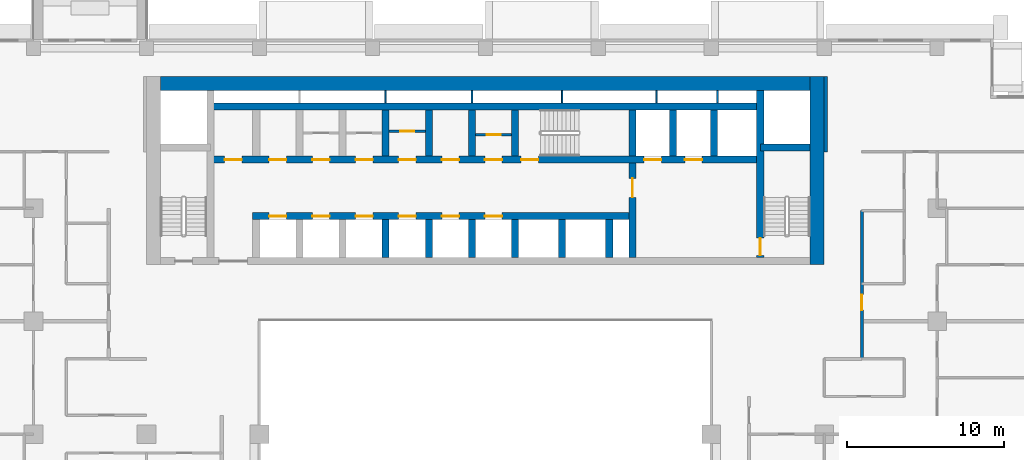
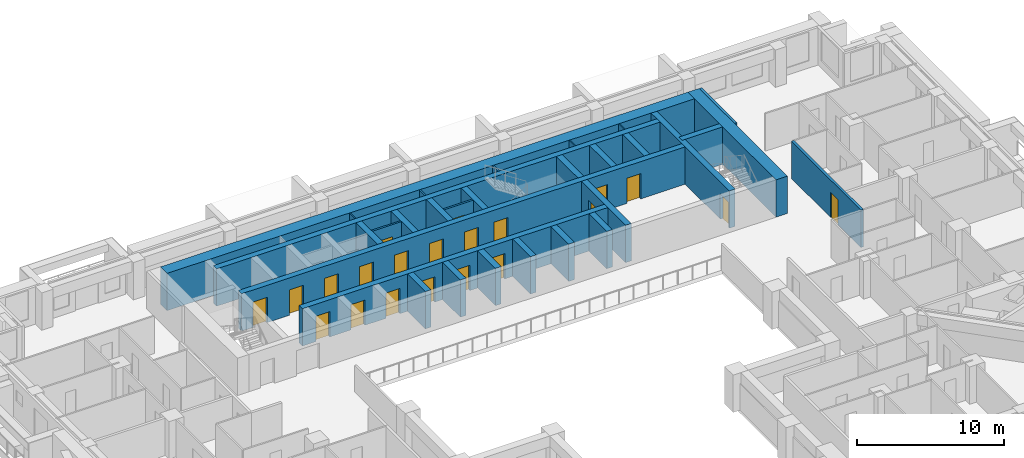
# One storey, part 10 of 17: 30 walls, 21 doors, 21 openings.
"""IFC4 building model written with IfcOpenShell, lengths in metres."""

from ifc_helpers import new_model, si_unit, direction, frame, frame_2d, origin, place, context, subcontext, project, spatial, rectangle, extrude, material, layer, layer_set, type_object, element, fill, save


model = new_model("IFC4")

# Units and contexts
model_context = context("Model", 3, precision=1e-05, world=origin(), true_north=direction((0.0, 1.0)))
body_context = subcontext(model_context, "Body", "Model", "MODEL_VIEW")
ifc_project = project(units=[si_unit("LENGTHUNIT", "METRE"), si_unit("AREAUNIT", "SQUARE_METRE"), si_unit("VOLUMEUNIT", "CUBIC_METRE"), si_unit("PLANEANGLEUNIT", "RADIAN"), si_unit("MASSUNIT", "GRAM", prefix="KILO")], contexts=[model_context])

# Site, building, storey
site_placement = place(None, origin())
site = spatial("IfcSite", under=ifc_project, at=site_placement, CompositionType="ELEMENT")
building_placement = place(site_placement, origin())
building = spatial("IfcBuilding", under=site, at=building_placement, Name="Saffron Iwan Residences", CompositionType="ELEMENT")
storey_placement = place(building_placement, frame((0.0, 0.0, 104.0)))
storey = spatial("IfcBuildingStorey", under=building, at=storey_placement, Name="L27", CompositionType="ELEMENT", Elevation=104.0)

# Wall, opening, door
ifc_material_1 = material(Name="Fire-rated plasterboard partition")
ifc_layer_1 = layer(ifc_material_1, 0.14990234375)
ifc_layer_set_1 = layer_set([ifc_layer_1], Name="Fire-rated plasterboard partition")
wall_type_1 = type_object("IfcWallType", Name="Core partition 150", PredefinedType="PARTITIONING", material=ifc_layer_set_1)
wall_1_placement = place(storey_placement, frame((44.27490234375, 74.51806640625, 0.0), z_axis=(0.0, 0.0, 1.0), x_axis=(1.0, 0.0, 0.0)))
wall_1 = element("IfcWall", 1, at=wall_1_placement, inside=storey, type_object=wall_type_1, Name="Core partition P03", PredefinedType="PARTITIONING", context=body_context, shape_type="SweptSolid", body=[
    extrude(rectangle(XDim=2.300048828125, YDim=0.14990234375, at=frame_2d((1.14990234375, 0.0))), origin(), (0.0, 0.0, 1.0), 3.10009765625),
])
opening_1_placement = place(wall_1_placement, frame((0.699951171875, 0.0, 0.0)))
opening_1 = element("IfcOpeningElement", 2, at=opening_1_placement, cuts=wall_1, Name="Opening SB", PredefinedType="OPENING", context=body_context, shape_type="SweptSolid", body=[
    extrude(rectangle(XDim=0.89990234375, YDim=2.10009765625, at=frame_2d((0.449951171875, 1.050048828125))), frame((0.0, 0.0849609375, 0.0), z_axis=(0.0, -1.0, 0.0), x_axis=(1.0, 0.0, 0.0)), (0.0, 0.0, 1.0), 0.169921875),
])
ifc_material_2 = material(Name="Steel fire door", Category="steel")
door_type_1 = type_object("IfcDoorType", Name="Store door 900", OperationType="NOTDEFINED", PredefinedType="DOOR", material=ifc_material_2)
door_1_placement = place(opening_1_placement, origin())
door_1 = element("IfcDoor", 3, at=door_1_placement, inside=storey, type_object=door_type_1, Name="Door Tool store", OperationType="SINGLE_SWING_LEFT", OverallHeight=2.10009765625, OverallWidth=0.89990234375, PredefinedType="DOOR", context=body_context, shape_type="SweptSolid", body=[
    extrude(rectangle(XDim=0.89990234375, YDim=2.10009765625, at=frame_2d((0.449951171875, 1.050048828125))), frame((0.0, 0.02490234375, 0.0), z_axis=(0.0, -1.0, 0.0), x_axis=(1.0, 0.0, 0.0)), (0.0, 0.0, 1.0), 0.050048828125),
])
fill(opening_1, door_1)

wall_2_placement = place(storey_placement, frame((49.77490234375, 74.281982421875, 0.0), z_axis=(0.0, 0.0, 1.0), x_axis=(1.0, 0.0, 0.0)))
wall_2 = element("IfcWall", 4, at=wall_2_placement, inside=storey, type_object=wall_type_1, Name="Core partition P04", PredefinedType="PARTITIONING", context=body_context, shape_type="SweptSolid", body=[
    extrude(rectangle(XDim=2.300048828125, YDim=0.14990234375, at=frame_2d((1.14990234375, 0.0))), origin(), (0.0, 0.0, 1.0), 3.10009765625),
])
opening_2_placement = place(wall_2_placement, frame((0.699951171875, 0.0, 0.0)))
opening_2 = element("IfcOpeningElement", 5, at=opening_2_placement, cuts=wall_2, Name="Opening SB", PredefinedType="OPENING", context=body_context, shape_type="SweptSolid", body=[
    extrude(rectangle(XDim=0.89990234375, YDim=2.10009765625, at=frame_2d((0.449951171875, 1.050048828125))), frame((0.0, 0.0849609375, 0.0), z_axis=(0.0, -1.0, 0.0), x_axis=(1.0, 0.0, 0.0)), (0.0, 0.0, 1.0), 0.169921875),
])
door_2_placement = place(opening_2_placement, origin())
door_2 = element("IfcDoor", 6, at=door_2_placement, inside=storey, type_object=door_type_1, Name="Door Equipment store", OperationType="SINGLE_SWING_RIGHT", OverallHeight=2.10009765625, OverallWidth=0.89990234375, PredefinedType="DOOR", context=body_context, shape_type="SweptSolid", body=[
    extrude(rectangle(XDim=0.89990234375, YDim=2.10009765625, at=frame_2d((0.449951171875, 1.050048828125))), frame((0.0, 0.02490234375, 0.0), z_axis=(0.0, -1.0, 0.0), x_axis=(1.0, 0.0, 0.0)), (0.0, 0.0, 1.0), 0.050048828125),
])
fill(opening_2, door_2)

# Wall
ifc_material_3 = material(Name="Fire-rated gypsum board wall")
ifc_layer_2 = layer(ifc_material_3, 0.199951171875)
ifc_layer_set_2 = layer_set([ifc_layer_2], Name="Fire-rated gypsum board wall")
wall_type_2 = type_object("IfcWallType", Name="Gallery wall 200", PredefinedType="SOLIDWALL", material=ifc_layer_set_2)
wall_3_placement = place(storey_placement, frame((72.10009765625, 73.199951171875, 0.0), z_axis=(0.0, 0.0, 1.0), x_axis=(0.0, 1.0, 0.0)))
element("IfcWall", 7, at=wall_3_placement, inside=storey, type_object=wall_type_2, Name="W-L27-CORR-v72-73.2", PredefinedType="SOLIDWALL", context=body_context, shape_type="SweptSolid", body=[
    extrude(rectangle(XDim=4.800048828125, YDim=0.199951171875, at=frame_2d((2.39990234375, 0.0))), origin(), (0.0, 0.0, 1.0), 3.10009765625),
])

# Wall, opening, door
wall_4_placement = place(storey_placement, frame((74.39990234375, 60.0, 0.0), z_axis=(0.0, 0.0, 1.0), x_axis=(0.0, 1.0, 0.0)))
wall_4 = element("IfcWall", 8, at=wall_4_placement, inside=storey, type_object=wall_type_2, Name="W-L27-CORR-v74.4-60", PredefinedType="SOLIDWALL", context=body_context, shape_type="SweptSolid", body=[
    extrude(rectangle(XDim=9.449951171875, YDim=0.199951171875, at=frame_2d((4.72509765625, 0.0))), origin(), (0.0, 0.0, 1.0), 3.10009765625),
])
opening_3_placement = place(wall_4_placement, frame((3.10009765625, 0.0, 0.0)))
opening_3 = element("IfcOpeningElement", 9, at=opening_3_placement, cuts=wall_4, Name="Opening FD1", PredefinedType="OPENING", context=body_context, shape_type="SweptSolid", body=[
    extrude(rectangle(XDim=1.0, YDim=2.10009765625, at=frame_2d((0.5, 1.050048828125))), frame((0.0, 0.10986328125, 0.0), z_axis=(0.0, -1.0, 0.0), x_axis=(1.0, 0.0, 0.0)), (0.0, 0.0, 1.0), 0.219970703125),
])
ifc_material_4 = material(Name="Fire-rated timber door", Category="wood")
door_type_2 = type_object("IfcDoorType", Name="FD30S flat entrance door 1000", OperationType="NOTDEFINED", PredefinedType="DOOR", material=ifc_material_4)
door_3_placement = place(opening_3_placement, origin())
door_3 = element("IfcDoor", 10, at=door_3_placement, inside=storey, type_object=door_type_2, Name="Door L27-035", OperationType="SINGLE_SWING_LEFT", OverallHeight=2.10009765625, OverallWidth=1.0, PredefinedType="DOOR", context=body_context, shape_type="SweptSolid", body=[
    extrude(rectangle(XDim=1.0, YDim=2.10009765625, at=frame_2d((0.5, 1.050048828125))), frame((0.0, 0.02490234375, 0.0), z_axis=(0.0, -1.0, 0.0), x_axis=(1.0, 0.0, 0.0)), (0.0, 0.0, 1.0), 0.050048828125),
])
fill(opening_3, door_3)

# Walls
ifc_layer_3 = layer(ifc_material_1, 0.10009765625)
ifc_layer_set_3 = layer_set([ifc_layer_3], Name="Fire-rated plasterboard partition")
wall_type_3 = type_object("IfcWallType", Name="Riser partition 100", PredefinedType="PARTITIONING", material=ifc_layer_set_3)
for number, where, z_axis, x_axis, name in (
    (11, (44.050048828125, 76.324951171875, 0.0), (0.0, 0.0, 1.0), (0.0, 1.0, 0.0), "Core partition P06"),
    (12, (49.550048828125, 76.324951171875, 0.0), (0.0, 0.0, 1.0), (0.0, 1.0, 0.0), "Core partition P07"),
    (13, (55.300048828125, 76.324951171875, 0.0), (0.0, 0.0, 1.0), (0.0, 1.0, 0.0), "Core partition P08"),
    (14, (61.300048828125, 76.324951171875, 0.0), (0.0, 0.0, 1.0), (0.0, 1.0, 0.0), "Core partition P09"),
    (15, (65.199951171875, 76.324951171875, 0.0), (0.0, 0.0, 1.0), (0.0, 1.0, 0.0), "Core partition P10"),
):
    element("IfcWall", number, at=place(storey_placement, frame(where, z_axis=z_axis, x_axis=x_axis)), inside=storey, type_object=wall_type_3, Name=name, PredefinedType="PARTITIONING", context=body_context, shape_type="SweptSolid", body=[
        extrude(rectangle(XDim=0.775146484375, YDim=0.10009765625, at=frame_2d((0.3876953125, 0.0))), origin(), (0.0, 0.0, 1.0), 3.10009765625),
    ])

# Wall, openings, doors
ifc_material_5 = material(Name="Concrete C60/75", Category="concrete")
ifc_layer_4 = layer(ifc_material_5, 0.449951171875)
ifc_layer_set_4 = layer_set([ifc_layer_4], Name="Concrete C60/75")
wall_type_4 = type_object("IfcWallType", Name="WALL CORE 450 C60/75 3100 HIGH", PredefinedType="SHEAR", material=ifc_layer_set_4)
wall_5_placement = place(storey_placement, frame((35.574951171875, 69.10009765625, 0.0), z_axis=(0.0, 0.0, 1.0), x_axis=(1.0, 0.0, 0.0)))
wall_5 = element("IfcWall", 16, at=wall_5_placement, inside=storey, type_object=wall_type_4, Name="Core wall", PredefinedType="SHEAR", context=body_context, shape_type="SweptSolid", body=[
    extrude(rectangle(XDim=24.199951171875, YDim=0.449951171875, at=frame_2d((12.10009765625, 0.0))), origin(), (0.0, 0.0, 1.0), 3.10009765625),
])
opening_4_placement = place(wall_5_placement, frame((1.050048828125, 0.0, 0.0)))
opening_4 = element("IfcOpeningElement", 17, at=opening_4_placement, cuts=wall_5, Name="Opening LD", PredefinedType="OPENING", context=body_context, shape_type="SweptSolid", body=[
    extrude(rectangle(XDim=1.10009765625, YDim=2.10009765625, at=frame_2d((0.550048828125, 1.050048828125))), frame((0.0, 0.23486328125, 0.0), z_axis=(0.0, -1.0, 0.0), x_axis=(1.0, 0.0, 0.0)), (0.0, 0.0, 1.0), 0.469970703125),
])
opening_5_placement = place(wall_5_placement, frame((3.800048828125, 0.0, 0.0)))
opening_5 = element("IfcOpeningElement", 18, at=opening_5_placement, cuts=wall_5, Name="Opening LD", PredefinedType="OPENING", context=body_context, shape_type="SweptSolid", body=[
    extrude(rectangle(XDim=1.10009765625, YDim=2.10009765625, at=frame_2d((0.550048828125, 1.050048828125))), frame((0.0, 0.23486328125, 0.0), z_axis=(0.0, -1.0, 0.0), x_axis=(1.0, 0.0, 0.0)), (0.0, 0.0, 1.0), 0.469970703125),
])
opening_6_placement = place(wall_5_placement, frame((6.550048828125, 0.0, 0.0)))
opening_6 = element("IfcOpeningElement", 19, at=opening_6_placement, cuts=wall_5, Name="Opening LD", PredefinedType="OPENING", context=body_context, shape_type="SweptSolid", body=[
    extrude(rectangle(XDim=1.10009765625, YDim=2.10009765625, at=frame_2d((0.550048828125, 1.050048828125))), frame((0.0, 0.23486328125, 0.0), z_axis=(0.0, -1.0, 0.0), x_axis=(1.0, 0.0, 0.0)), (0.0, 0.0, 1.0), 0.469970703125),
])
opening_7_placement = place(wall_5_placement, frame((9.300048828125, 0.0, 0.0)))
opening_7 = element("IfcOpeningElement", 20, at=opening_7_placement, cuts=wall_5, Name="Opening LD", PredefinedType="OPENING", context=body_context, shape_type="SweptSolid", body=[
    extrude(rectangle(XDim=1.10009765625, YDim=2.10009765625, at=frame_2d((0.550048828125, 1.050048828125))), frame((0.0, 0.23486328125, 0.0), z_axis=(0.0, -1.0, 0.0), x_axis=(1.0, 0.0, 0.0)), (0.0, 0.0, 1.0), 0.469970703125),
])
opening_8_placement = place(wall_5_placement, frame((12.050048828125, 0.0, 0.0)))
opening_8 = element("IfcOpeningElement", 21, at=opening_8_placement, cuts=wall_5, Name="Opening LD", PredefinedType="OPENING", context=body_context, shape_type="SweptSolid", body=[
    extrude(rectangle(XDim=1.10009765625, YDim=2.10009765625, at=frame_2d((0.550048828125, 1.050048828125))), frame((0.0, 0.23486328125, 0.0), z_axis=(0.0, -1.0, 0.0), x_axis=(1.0, 0.0, 0.0)), (0.0, 0.0, 1.0), 0.469970703125),
])
opening_9_placement = place(wall_5_placement, frame((14.800048828125, 0.0, 0.0)))
opening_9 = element("IfcOpeningElement", 22, at=opening_9_placement, cuts=wall_5, Name="Opening LD", PredefinedType="OPENING", context=body_context, shape_type="SweptSolid", body=[
    extrude(rectangle(XDim=1.10009765625, YDim=2.10009765625, at=frame_2d((0.550048828125, 1.050048828125))), frame((0.0, 0.23486328125, 0.0), z_axis=(0.0, -1.0, 0.0), x_axis=(1.0, 0.0, 0.0)), (0.0, 0.0, 1.0), 0.469970703125),
])
door_type_3 = type_object("IfcDoorType", Name="Lift landing door 1100", OperationType="SLIDING_TO_LEFT", PredefinedType="DOOR", material=ifc_material_2)
door_4_placement = place(opening_4_placement, origin())
door_4 = element("IfcDoor", 23, at=door_4_placement, inside=storey, type_object=door_type_3, Name="Landing doors LR1", OperationType="SLIDING_TO_LEFT", OverallHeight=2.10009765625, OverallWidth=1.10009765625, PredefinedType="DOOR", context=body_context, shape_type="SweptSolid", body=[
    extrude(rectangle(XDim=1.10009765625, YDim=2.10009765625, at=frame_2d((0.550048828125, 1.050048828125))), frame((0.0, 0.02490234375, 0.0), z_axis=(0.0, -1.0, 0.0), x_axis=(1.0, 0.0, 0.0)), (0.0, 0.0, 1.0), 0.050048828125),
])
fill(opening_4, door_4)
door_5_placement = place(opening_5_placement, origin())
door_5 = element("IfcDoor", 24, at=door_5_placement, inside=storey, type_object=door_type_3, Name="Landing doors LR2", OperationType="SLIDING_TO_LEFT", OverallHeight=2.10009765625, OverallWidth=1.10009765625, PredefinedType="DOOR", context=body_context, shape_type="SweptSolid", body=[
    extrude(rectangle(XDim=1.10009765625, YDim=2.10009765625, at=frame_2d((0.550048828125, 1.050048828125))), frame((0.0, 0.02490234375, 0.0), z_axis=(0.0, -1.0, 0.0), x_axis=(1.0, 0.0, 0.0)), (0.0, 0.0, 1.0), 0.050048828125),
])
fill(opening_5, door_5)
door_6_placement = place(opening_6_placement, origin())
door_6 = element("IfcDoor", 25, at=door_6_placement, inside=storey, type_object=door_type_3, Name="Landing doors LR3", OperationType="SLIDING_TO_LEFT", OverallHeight=2.10009765625, OverallWidth=1.10009765625, PredefinedType="DOOR", context=body_context, shape_type="SweptSolid", body=[
    extrude(rectangle(XDim=1.10009765625, YDim=2.10009765625, at=frame_2d((0.550048828125, 1.050048828125))), frame((0.0, 0.02490234375, 0.0), z_axis=(0.0, -1.0, 0.0), x_axis=(1.0, 0.0, 0.0)), (0.0, 0.0, 1.0), 0.050048828125),
])
fill(opening_6, door_6)
door_7_placement = place(opening_7_placement, origin())
door_7 = element("IfcDoor", 26, at=door_7_placement, inside=storey, type_object=door_type_3, Name="Landing doors LR4", OperationType="SLIDING_TO_LEFT", OverallHeight=2.10009765625, OverallWidth=1.10009765625, PredefinedType="DOOR", context=body_context, shape_type="SweptSolid", body=[
    extrude(rectangle(XDim=1.10009765625, YDim=2.10009765625, at=frame_2d((0.550048828125, 1.050048828125))), frame((0.0, 0.02490234375, 0.0), z_axis=(0.0, -1.0, 0.0), x_axis=(1.0, 0.0, 0.0)), (0.0, 0.0, 1.0), 0.050048828125),
])
fill(opening_7, door_7)
door_8_placement = place(opening_8_placement, origin())
door_8 = element("IfcDoor", 27, at=door_8_placement, inside=storey, type_object=door_type_3, Name="Landing doors LR5", OperationType="SLIDING_TO_LEFT", OverallHeight=2.10009765625, OverallWidth=1.10009765625, PredefinedType="DOOR", context=body_context, shape_type="SweptSolid", body=[
    extrude(rectangle(XDim=1.10009765625, YDim=2.10009765625, at=frame_2d((0.550048828125, 1.050048828125))), frame((0.0, 0.02490234375, 0.0), z_axis=(0.0, -1.0, 0.0), x_axis=(1.0, 0.0, 0.0)), (0.0, 0.0, 1.0), 0.050048828125),
])
fill(opening_8, door_8)
door_9_placement = place(opening_9_placement, origin())
door_9 = element("IfcDoor", 28, at=door_9_placement, inside=storey, type_object=door_type_3, Name="Landing doors LR6", OperationType="SLIDING_TO_LEFT", OverallHeight=2.10009765625, OverallWidth=1.10009765625, PredefinedType="DOOR", context=body_context, shape_type="SweptSolid", body=[
    extrude(rectangle(XDim=1.10009765625, YDim=2.10009765625, at=frame_2d((0.550048828125, 1.050048828125))), frame((0.0, 0.02490234375, 0.0), z_axis=(0.0, -1.0, 0.0), x_axis=(1.0, 0.0, 0.0)), (0.0, 0.0, 1.0), 0.050048828125),
])
fill(opening_9, door_9)

wall_6_placement = place(storey_placement, frame((32.875, 72.699951171875, 0.0), z_axis=(0.0, 0.0, 1.0), x_axis=(1.0, 0.0, 0.0)))
wall_6 = element("IfcWall", 29, at=wall_6_placement, inside=storey, type_object=wall_type_4, Name="Core wall", PredefinedType="SHEAR", context=body_context, shape_type="SweptSolid", body=[
    extrude(rectangle(XDim=35.050048828125, YDim=0.449951171875, at=frame_2d((17.52490234375, 0.0))), origin(), (0.0, 0.0, 1.0), 3.10009765625),
])
opening_10_placement = place(wall_6_placement, frame((19.800048828125, 0.0, 0.0)))
opening_10 = element("IfcOpeningElement", 30, at=opening_10_placement, cuts=wall_6, Name="Opening SD", PredefinedType="OPENING", context=body_context, shape_type="SweptSolid", body=[
    extrude(rectangle(XDim=1.10009765625, YDim=2.10009765625, at=frame_2d((0.550048828125, 1.050048828125))), frame((0.0, 0.23486328125, 0.0), z_axis=(0.0, -1.0, 0.0), x_axis=(1.0, 0.0, 0.0)), (0.0, 0.0, 1.0), 0.469970703125),
])
opening_11_placement = place(wall_6_placement, frame((27.64990234375, 0.0, 0.0)))
opening_11 = element("IfcOpeningElement", 31, at=opening_11_placement, cuts=wall_6, Name="Opening LD", PredefinedType="OPENING", context=body_context, shape_type="SweptSolid", body=[
    extrude(rectangle(XDim=1.10009765625, YDim=2.10009765625, at=frame_2d((0.550048828125, 1.050048828125))), frame((0.0, 0.23486328125, 0.0), z_axis=(0.0, -1.0, 0.0), x_axis=(1.0, 0.0, 0.0)), (0.0, 0.0, 1.0), 0.469970703125),
])
opening_12_placement = place(wall_6_placement, frame((30.25, 0.0, 0.0)))
opening_12 = element("IfcOpeningElement", 32, at=opening_12_placement, cuts=wall_6, Name="Opening LD", PredefinedType="OPENING", context=body_context, shape_type="SweptSolid", body=[
    extrude(rectangle(XDim=1.10009765625, YDim=2.10009765625, at=frame_2d((0.550048828125, 1.050048828125))), frame((0.0, 0.23486328125, 0.0), z_axis=(0.0, -1.0, 0.0), x_axis=(1.0, 0.0, 0.0)), (0.0, 0.0, 1.0), 0.469970703125),
])
opening_13_placement = place(wall_6_placement, frame((3.75, 0.0, 0.0)))
opening_13 = element("IfcOpeningElement", 33, at=opening_13_placement, cuts=wall_6, Name="Opening SR", PredefinedType="OPENING", context=body_context, shape_type="SweptSolid", body=[
    extrude(rectangle(XDim=1.10009765625, YDim=2.10009765625, at=frame_2d((0.550048828125, 1.050048828125))), frame((0.0, 0.23486328125, 0.0), z_axis=(0.0, -1.0, 0.0), x_axis=(1.0, 0.0, 0.0)), (0.0, 0.0, 1.0), 0.469970703125),
])
opening_14_placement = place(wall_6_placement, frame((6.5, 0.0, 0.0)))
opening_14 = element("IfcOpeningElement", 34, at=opening_14_placement, cuts=wall_6, Name="Opening SR", PredefinedType="OPENING", context=body_context, shape_type="SweptSolid", body=[
    extrude(rectangle(XDim=1.10009765625, YDim=2.10009765625, at=frame_2d((0.550048828125, 1.050048828125))), frame((0.0, 0.23486328125, 0.0), z_axis=(0.0, -1.0, 0.0), x_axis=(1.0, 0.0, 0.0)), (0.0, 0.0, 1.0), 0.469970703125),
])
opening_15_placement = place(wall_6_placement, frame((9.25, 0.0, 0.0)))
opening_15 = element("IfcOpeningElement", 35, at=opening_15_placement, cuts=wall_6, Name="Opening SR", PredefinedType="OPENING", context=body_context, shape_type="SweptSolid", body=[
    extrude(rectangle(XDim=1.10009765625, YDim=2.10009765625, at=frame_2d((0.550048828125, 1.050048828125))), frame((0.0, 0.23486328125, 0.0), z_axis=(0.0, -1.0, 0.0), x_axis=(1.0, 0.0, 0.0)), (0.0, 0.0, 1.0), 0.469970703125),
])
opening_16_placement = place(wall_6_placement, frame((12.0, 0.0, 0.0)))
opening_16 = element("IfcOpeningElement", 36, at=opening_16_placement, cuts=wall_6, Name="Opening SR", PredefinedType="OPENING", context=body_context, shape_type="SweptSolid", body=[
    extrude(rectangle(XDim=1.10009765625, YDim=2.10009765625, at=frame_2d((0.550048828125, 1.050048828125))), frame((0.0, 0.23486328125, 0.0), z_axis=(0.0, -1.0, 0.0), x_axis=(1.0, 0.0, 0.0)), (0.0, 0.0, 1.0), 0.469970703125),
])
opening_17_placement = place(wall_6_placement, frame((14.75, 0.0, 0.0)))
opening_17 = element("IfcOpeningElement", 37, at=opening_17_placement, cuts=wall_6, Name="Opening SR", PredefinedType="OPENING", context=body_context, shape_type="SweptSolid", body=[
    extrude(rectangle(XDim=1.10009765625, YDim=2.10009765625, at=frame_2d((0.550048828125, 1.050048828125))), frame((0.0, 0.23486328125, 0.0), z_axis=(0.0, -1.0, 0.0), x_axis=(1.0, 0.0, 0.0)), (0.0, 0.0, 1.0), 0.469970703125),
])
opening_18_placement = place(wall_6_placement, frame((17.5, 0.0, 0.0)))
opening_18 = element("IfcOpeningElement", 38, at=opening_18_placement, cuts=wall_6, Name="Opening SR", PredefinedType="OPENING", context=body_context, shape_type="SweptSolid", body=[
    extrude(rectangle(XDim=1.10009765625, YDim=2.10009765625, at=frame_2d((0.550048828125, 1.050048828125))), frame((0.0, 0.23486328125, 0.0), z_axis=(0.0, -1.0, 0.0), x_axis=(1.0, 0.0, 0.0)), (0.0, 0.0, 1.0), 0.469970703125),
])
opening_19_placement = place(wall_6_placement, frame((0.91259765625, 0.0, 0.0)))
opening_19 = element("IfcOpeningElement", 39, at=opening_19_placement, cuts=wall_6, Name="Opening SR", PredefinedType="OPENING", context=body_context, shape_type="SweptSolid", body=[
    extrude(rectangle(XDim=1.10009765625, YDim=2.10009765625, at=frame_2d((0.550048828125, 1.050048828125))), frame((0.0, 0.23486328125, 0.0), z_axis=(0.0, -1.0, 0.0), x_axis=(1.0, 0.0, 0.0)), (0.0, 0.0, 1.0), 0.469970703125),
])
door_10_placement = place(opening_11_placement, origin())
door_10 = element("IfcDoor", 40, at=door_10_placement, inside=storey, type_object=door_type_3, Name="Landing doors FF1", OperationType="SLIDING_TO_LEFT", OverallHeight=2.10009765625, OverallWidth=1.10009765625, PredefinedType="DOOR", context=body_context, shape_type="SweptSolid", body=[
    extrude(rectangle(XDim=1.10009765625, YDim=2.10009765625, at=frame_2d((0.550048828125, 1.050048828125))), frame((0.0, 0.02490234375, 0.0), z_axis=(0.0, -1.0, 0.0), x_axis=(1.0, 0.0, 0.0)), (0.0, 0.0, 1.0), 0.050048828125),
])
fill(opening_11, door_10)
door_11_placement = place(opening_12_placement, origin())
door_11 = element("IfcDoor", 41, at=door_11_placement, inside=storey, type_object=door_type_3, Name="Landing doors FF2", OperationType="SLIDING_TO_LEFT", OverallHeight=2.10009765625, OverallWidth=1.10009765625, PredefinedType="DOOR", context=body_context, shape_type="SweptSolid", body=[
    extrude(rectangle(XDim=1.10009765625, YDim=2.10009765625, at=frame_2d((0.550048828125, 1.050048828125))), frame((0.0, 0.02490234375, 0.0), z_axis=(0.0, -1.0, 0.0), x_axis=(1.0, 0.0, 0.0)), (0.0, 0.0, 1.0), 0.050048828125),
])
fill(opening_12, door_11)
door_type_4 = type_object("IfcDoorType", Name="Service door 1100", OperationType="NOTDEFINED", PredefinedType="DOOR", material=ifc_material_2)
door_12_placement = place(opening_13_placement, origin())
door_12 = element("IfcDoor", 42, at=door_12_placement, inside=storey, type_object=door_type_4, Name="Door Communications room", OperationType="SINGLE_SWING_LEFT", OverallHeight=2.10009765625, OverallWidth=1.10009765625, PredefinedType="DOOR", context=body_context, shape_type="SweptSolid", body=[
    extrude(rectangle(XDim=1.10009765625, YDim=2.10009765625, at=frame_2d((0.550048828125, 1.050048828125))), frame((0.0, 0.02490234375, 0.0), z_axis=(0.0, -1.0, 0.0), x_axis=(1.0, 0.0, 0.0)), (0.0, 0.0, 1.0), 0.050048828125),
])
fill(opening_13, door_12)
door_13_placement = place(opening_14_placement, origin())
door_13 = element("IfcDoor", 43, at=door_13_placement, inside=storey, type_object=door_type_4, Name="Door Switch room", OperationType="SINGLE_SWING_LEFT", OverallHeight=2.10009765625, OverallWidth=1.10009765625, PredefinedType="DOOR", context=body_context, shape_type="SweptSolid", body=[
    extrude(rectangle(XDim=1.10009765625, YDim=2.10009765625, at=frame_2d((0.550048828125, 1.050048828125))), frame((0.0, 0.02490234375, 0.0), z_axis=(0.0, -1.0, 0.0), x_axis=(1.0, 0.0, 0.0)), (0.0, 0.0, 1.0), 0.050048828125),
])
fill(opening_14, door_13)
door_14_placement = place(opening_15_placement, origin())
door_14 = element("IfcDoor", 44, at=door_14_placement, inside=storey, type_object=door_type_4, Name="Door Furniture store", OperationType="SINGLE_SWING_LEFT", OverallHeight=2.10009765625, OverallWidth=1.10009765625, PredefinedType="DOOR", context=body_context, shape_type="SweptSolid", body=[
    extrude(rectangle(XDim=1.10009765625, YDim=2.10009765625, at=frame_2d((0.550048828125, 1.050048828125))), frame((0.0, 0.02490234375, 0.0), z_axis=(0.0, -1.0, 0.0), x_axis=(1.0, 0.0, 0.0)), (0.0, 0.0, 1.0), 0.050048828125),
])
fill(opening_15, door_14)
door_15_placement = place(opening_16_placement, origin())
door_15 = element("IfcDoor", 45, at=door_15_placement, inside=storey, type_object=door_type_4, Name="Door Housekeeping store", OperationType="SINGLE_SWING_LEFT", OverallHeight=2.10009765625, OverallWidth=1.10009765625, PredefinedType="DOOR", context=body_context, shape_type="SweptSolid", body=[
    extrude(rectangle(XDim=1.10009765625, YDim=2.10009765625, at=frame_2d((0.550048828125, 1.050048828125))), frame((0.0, 0.02490234375, 0.0), z_axis=(0.0, -1.0, 0.0), x_axis=(1.0, 0.0, 0.0)), (0.0, 0.0, 1.0), 0.050048828125),
])
fill(opening_16, door_15)
door_16_placement = place(opening_17_placement, origin())
door_16 = element("IfcDoor", 46, at=door_16_placement, inside=storey, type_object=door_type_4, Name="Door Cleaner's store", OperationType="SINGLE_SWING_LEFT", OverallHeight=2.10009765625, OverallWidth=1.10009765625, PredefinedType="DOOR", context=body_context, shape_type="SweptSolid", body=[
    extrude(rectangle(XDim=1.10009765625, YDim=2.10009765625, at=frame_2d((0.550048828125, 1.050048828125))), frame((0.0, 0.02490234375, 0.0), z_axis=(0.0, -1.0, 0.0), x_axis=(1.0, 0.0, 0.0)), (0.0, 0.0, 1.0), 0.050048828125),
])
fill(opening_17, door_16)
door_17_placement = place(opening_18_placement, origin())
door_17 = element("IfcDoor", 47, at=door_17_placement, inside=storey, type_object=door_type_4, Name="Door Trolley store", OperationType="SINGLE_SWING_LEFT", OverallHeight=2.10009765625, OverallWidth=1.10009765625, PredefinedType="DOOR", context=body_context, shape_type="SweptSolid", body=[
    extrude(rectangle(XDim=1.10009765625, YDim=2.10009765625, at=frame_2d((0.550048828125, 1.050048828125))), frame((0.0, 0.02490234375, 0.0), z_axis=(0.0, -1.0, 0.0), x_axis=(1.0, 0.0, 0.0)), (0.0, 0.0, 1.0), 0.050048828125),
])
fill(opening_18, door_17)
door_18_placement = place(opening_19_placement, origin())
door_18 = element("IfcDoor", 48, at=door_18_placement, inside=storey, type_object=door_type_4, Name="Door Cleaner's store", OperationType="SINGLE_SWING_LEFT", OverallHeight=2.10009765625, OverallWidth=1.10009765625, PredefinedType="DOOR", context=body_context, shape_type="SweptSolid", body=[
    extrude(rectangle(XDim=1.10009765625, YDim=2.10009765625, at=frame_2d((0.550048828125, 1.050048828125))), frame((0.0, 0.02490234375, 0.0), z_axis=(0.0, -1.0, 0.0), x_axis=(1.0, 0.0, 0.0)), (0.0, 0.0, 1.0), 0.050048828125),
])
fill(opening_19, door_18)
door_type_5 = type_object("IfcDoorType", Name="Stair door 1100", OperationType="NOTDEFINED", PredefinedType="DOOR", material=ifc_material_2)
door_19_placement = place(opening_10_placement, origin())
door_19 = element("IfcDoor", 49, at=door_19_placement, inside=storey, type_object=door_type_5, Name="Stair door ST-C", OperationType="SINGLE_SWING_LEFT", OverallHeight=2.10009765625, OverallWidth=1.10009765625, PredefinedType="DOOR", context=body_context, shape_type="SweptSolid", body=[
    extrude(rectangle(XDim=1.10009765625, YDim=2.10009765625, at=frame_2d((0.550048828125, 1.050048828125))), frame((0.0, 0.02490234375, 0.0), z_axis=(0.0, -1.0, 0.0), x_axis=(1.0, 0.0, 0.0)), (0.0, 0.0, 1.0), 0.050048828125),
])
fill(opening_10, door_19)

# Walls
wall_7_placement = place(storey_placement, frame((32.875, 76.10009765625, 0.0), z_axis=(0.0, 0.0, 1.0), x_axis=(1.0, 0.0, 0.0)))
element("IfcWall", 50, at=wall_7_placement, inside=storey, type_object=wall_type_4, Name="Core wall", PredefinedType="SHEAR", context=body_context, shape_type="SweptSolid", body=[
    extrude(rectangle(XDim=35.050048828125, YDim=0.449951171875, at=frame_2d((17.52490234375, 0.0))), origin(), (0.0, 0.0, 1.0), 3.10009765625),
])
wall_8_placement = place(storey_placement, frame((67.925048828125, 73.47509765625, 0.0), z_axis=(0.0, 0.0, 1.0), x_axis=(1.0, 0.0, 0.0)))
element("IfcWall", 51, at=wall_8_placement, inside=storey, type_object=wall_type_4, Name="Core wall", PredefinedType="SHEAR", context=body_context, shape_type="SweptSolid", body=[
    extrude(rectangle(XDim=3.175048828125, YDim=0.449951171875, at=frame_2d((1.58740234375, 0.0))), origin(), (0.0, 0.0, 1.0), 3.10009765625),
])

# Wall, opening, door
wall_9_placement = place(storey_placement, frame((67.925048828125, 66.449951171875, 0.0), z_axis=(0.0, 0.0, 1.0), x_axis=(0.0, 1.0, 0.0)))
wall_9 = element("IfcWall", 52, at=wall_9_placement, inside=storey, type_object=wall_type_4, Name="Core wall", PredefinedType="SHEAR", context=body_context, shape_type="SweptSolid", body=[
    extrude(rectangle(XDim=10.650146484375, YDim=0.449951171875, at=frame_2d((5.3251953125, 0.0))), origin(), (0.0, 0.0, 1.0), 3.10009765625),
])
opening_20_placement = place(wall_9_placement, frame((0.14990234375, 0.0, 0.0)))
opening_20 = element("IfcOpeningElement", 53, at=opening_20_placement, cuts=wall_9, Name="Opening SD", PredefinedType="OPENING", context=body_context, shape_type="SweptSolid", body=[
    extrude(rectangle(XDim=1.10009765625, YDim=2.10009765625, at=frame_2d((0.550048828125, 1.050048828125))), frame((0.0, 0.23486328125, 0.0), z_axis=(0.0, -1.0, 0.0), x_axis=(1.0, 0.0, 0.0)), (0.0, 0.0, 1.0), 0.469970703125),
])
door_20_placement = place(opening_20_placement, origin())
door_20 = element("IfcDoor", 54, at=door_20_placement, inside=storey, type_object=door_type_5, Name="Stair door ST-E", OperationType="SINGLE_SWING_LEFT", OverallHeight=2.10009765625, OverallWidth=1.10009765625, PredefinedType="DOOR", context=body_context, shape_type="SweptSolid", body=[
    extrude(rectangle(XDim=1.10009765625, YDim=2.10009765625, at=frame_2d((0.550048828125, 1.050048828125))), frame((0.0, 0.02490234375, 0.0), z_axis=(0.0, -1.0, 0.0), x_axis=(1.0, 0.0, 0.0)), (0.0, 0.0, 1.0), 0.050048828125),
])
fill(opening_20, door_20)

wall_10_placement = place(storey_placement, frame((59.77490234375, 66.449951171875, 0.0), z_axis=(0.0, 0.0, 1.0), x_axis=(0.0, 1.0, 0.0)))
wall_10 = element("IfcWall", 55, at=wall_10_placement, inside=storey, type_object=wall_type_4, Name="Core wall", PredefinedType="SHEAR", context=body_context, shape_type="SweptSolid", body=[
    extrude(rectangle(XDim=6.025146484375, YDim=0.449951171875, at=frame_2d((3.0126953125, 0.0))), origin(), (0.0, 0.0, 1.0), 3.10009765625),
])
opening_21_placement = place(wall_10_placement, frame((3.85009765625, 0.0, 0.0)))
opening_21 = element("IfcOpeningElement", 56, at=opening_21_placement, cuts=wall_10, Name="Opening FD", PredefinedType="OPENING", context=body_context, shape_type="SweptSolid", body=[
    extrude(rectangle(XDim=1.199951171875, YDim=2.10009765625, at=frame_2d((0.60009765625, 1.050048828125))), frame((0.0, 0.23486328125, 0.0), z_axis=(0.0, -1.0, 0.0), x_axis=(1.0, 0.0, 0.0)), (0.0, 0.0, 1.0), 0.469970703125),
])
door_type_6 = type_object("IfcDoorType", Name="Firefighting lobby door 1200", OperationType="NOTDEFINED", PredefinedType="DOOR", material=ifc_material_2)
door_21_placement = place(opening_21_placement, origin())
door_21 = element("IfcDoor", 57, at=door_21_placement, inside=storey, type_object=door_type_6, Name="Firefighting lobby door", OperationType="SINGLE_SWING_RIGHT", OverallHeight=2.10009765625, OverallWidth=1.199951171875, PredefinedType="DOOR", context=body_context, shape_type="SweptSolid", body=[
    extrude(rectangle(XDim=1.199951171875, YDim=2.10009765625, at=frame_2d((0.60009765625, 1.050048828125))), frame((0.0, 0.02490234375, 0.0), z_axis=(0.0, -1.0, 0.0), x_axis=(1.0, 0.0, 0.0)), (0.0, 0.0, 1.0), 0.050048828125),
])
fill(opening_21, door_21)

# Walls
wall_11_placement = place(storey_placement, frame((59.77490234375, 72.925048828125, 0.0), z_axis=(0.0, 0.0, 1.0), x_axis=(0.0, 1.0, 0.0)))
element("IfcWall", 58, at=wall_11_placement, inside=storey, type_object=wall_type_4, Name="Core wall", PredefinedType="SHEAR", context=body_context, shape_type="SweptSolid", body=[
    extrude(rectangle(XDim=2.949951171875, YDim=0.449951171875, at=frame_2d((1.47509765625, 0.0))), origin(), (0.0, 0.0, 1.0), 3.10009765625),
])
for number, where, z_axis, x_axis, name in (
    (59, (44.050048828125, 66.449951171875, 0.0), (0.0, 0.0, 1.0), (0.0, 1.0, 0.0), "Core wall"),
    (60, (46.800048828125, 66.449951171875, 0.0), (0.0, 0.0, 1.0), (0.0, 1.0, 0.0), "Core wall"),
    (61, (49.550048828125, 66.449951171875, 0.0), (0.0, 0.0, 1.0), (0.0, 1.0, 0.0), "Core wall"),
    (62, (52.300048828125, 66.449951171875, 0.0), (0.0, 0.0, 1.0), (0.0, 1.0, 0.0), "Core wall"),
    (63, (55.300048828125, 66.449951171875, 0.0), (0.0, 0.0, 1.0), (0.0, 1.0, 0.0), "Core wall"),
    (64, (58.300048828125, 66.449951171875, 0.0), (0.0, 0.0, 1.0), (0.0, 1.0, 0.0), "Core wall"),
):
    element("IfcWall", number, at=place(storey_placement, frame(where, z_axis=z_axis, x_axis=x_axis)), inside=storey, type_object=wall_type_4, Name=name, PredefinedType="SHEAR", context=body_context, shape_type="SweptSolid", body=[
        extrude(rectangle(XDim=2.425048828125, YDim=0.449951171875, at=frame_2d((1.21240234375, 0.0))), origin(), (0.0, 0.0, 1.0), 3.10009765625),
    ])
for number, where, z_axis, x_axis, name in (
    (65, (44.050048828125, 72.925048828125, 0.0), (0.0, 0.0, 1.0), (0.0, 1.0, 0.0), "Core wall"),
    (66, (46.800048828125, 72.925048828125, 0.0), (0.0, 0.0, 1.0), (0.0, 1.0, 0.0), "Core wall"),
    (67, (49.550048828125, 72.925048828125, 0.0), (0.0, 0.0, 1.0), (0.0, 1.0, 0.0), "Core wall"),
    (68, (52.300048828125, 72.925048828125, 0.0), (0.0, 0.0, 1.0), (0.0, 1.0, 0.0), "Core wall"),
    (69, (62.375, 72.925048828125, 0.0), (0.0, 0.0, 1.0), (0.0, 1.0, 0.0), "Core wall"),
    (70, (64.97509765625, 72.925048828125, 0.0), (0.0, 0.0, 1.0), (0.0, 1.0, 0.0), "Core wall"),
):
    element("IfcWall", number, at=place(storey_placement, frame(where, z_axis=z_axis, x_axis=x_axis)), inside=storey, type_object=wall_type_4, Name=name, PredefinedType="SHEAR", context=body_context, shape_type="SweptSolid", body=[
        extrude(rectangle(XDim=2.949951171875, YDim=0.449951171875, at=frame_2d((1.47509765625, 0.0))), origin(), (0.0, 0.0, 1.0), 3.10009765625),
    ])
ifc_layer_5 = layer(ifc_material_5, 0.89990234375)
ifc_layer_set_5 = layer_set([ifc_layer_5], Name="Concrete C60/75")
wall_type_5 = type_object("IfcWallType", Name="WALL CORE 900 C60/75 3100 HIGH", PredefinedType="SHEAR", material=ifc_layer_set_5)
wall_12_placement = place(storey_placement, frame((71.550048828125, 66.0, 0.0), z_axis=(0.0, 0.0, 1.0), x_axis=(0.0, 1.0, 0.0)))
element("IfcWall", 71, at=wall_12_placement, inside=storey, type_object=wall_type_5, Name="Core wall", PredefinedType="SHEAR", context=body_context, shape_type="SweptSolid", body=[
    extrude(rectangle(XDim=12.0, YDim=0.89990234375, at=frame_2d((6.0, 0.0))), origin(), (0.0, 0.0, 1.0), 3.10009765625),
])
wall_13_placement = place(storey_placement, frame((29.699951171875, 77.550048828125, 0.0), z_axis=(0.0, 0.0, 1.0), x_axis=(1.0, 0.0, 0.0)))
element("IfcWall", 72, at=wall_13_placement, inside=storey, type_object=wall_type_5, Name="Core wall", PredefinedType="SHEAR", context=body_context, shape_type="SweptSolid", body=[
    extrude(rectangle(XDim=41.400146484375, YDim=0.89990234375, at=frame_2d((20.7001953125, 0.0))), origin(), (0.0, 0.0, 1.0), 3.10009765625),
])

save(model, "model.ifc")
